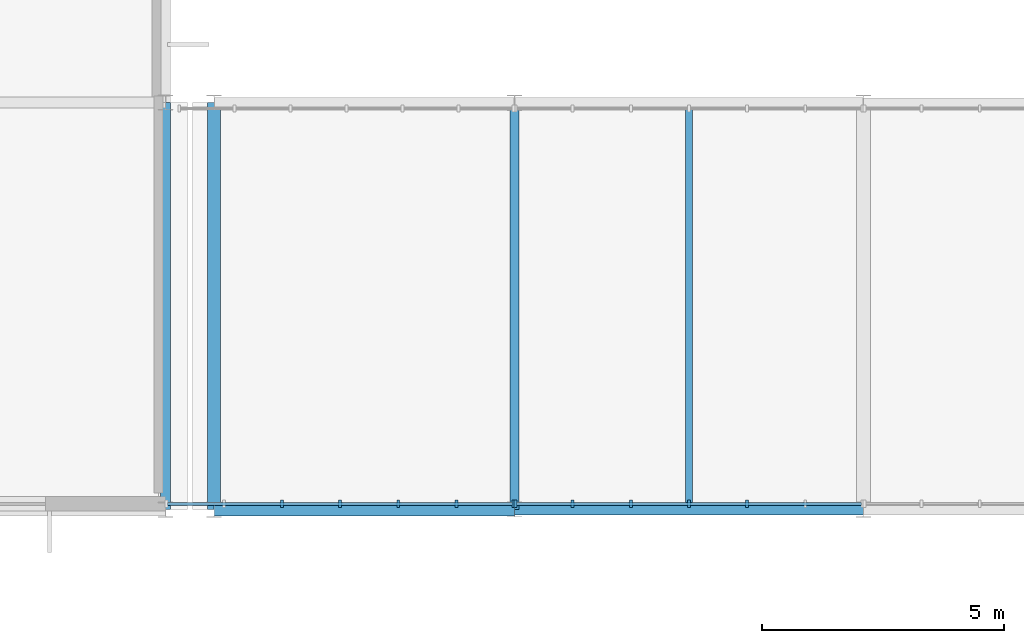
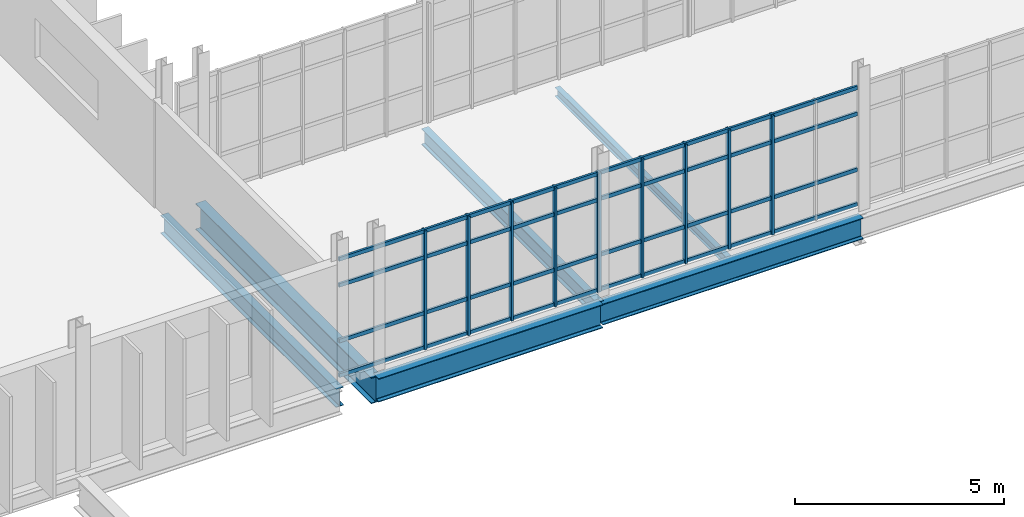
# One storey, part 30 of 119: 18 members, 6 beams, 2 elements without a shape of their own.
"""IFC4 building model written with IfcOpenShell, lengths in metres."""

from ifc_helpers import new_model, si_unit, direction, frame, origin, origin_2d, place, context, subcontext, project, spatial, rectangle, i_section, extrude, material, material_profile, profile_set, type_object, element, aggregate, save


model = new_model("IFC4")

# Units and contexts
model_context = context("Model", 3, precision=1e-05, world=origin(), true_north=direction((0.0, 1.0)))
body_context = subcontext(model_context, "Body", "Model", "MODEL_VIEW")
ifc_project = project(units=[si_unit("LENGTHUNIT", "METRE"), si_unit("AREAUNIT", "SQUARE_METRE"), si_unit("VOLUMEUNIT", "CUBIC_METRE"), si_unit("PLANEANGLEUNIT", "RADIAN"), si_unit("MASSUNIT", "GRAM", prefix="KILO")], contexts=[model_context])

# Site, building, storey
site_placement = place(None, origin())
site = spatial("IfcSite", under=ifc_project, at=site_placement, CompositionType="ELEMENT")
building_placement = place(site_placement, origin())
building = spatial("IfcBuilding", under=site, at=building_placement, Name="Qelthora Terrace Specialist Clinic", CompositionType="ELEMENT")
storey_placement = place(building_placement, frame((0.0, 0.0, 4.800048828125)))
storey = spatial("IfcBuildingStorey", under=building, at=storey_placement, Name="L01", CompositionType="ELEMENT", Elevation=4.800048828125)

# Beams
ifc_material_1 = material(Name="Steel S355", Category="steel")
ifc_material_profile_1 = material_profile(ifc_material_1, i_section(OverallWidth=0.193115234375, OverallDepth=0.466064453125, WebThickness=0.011474609375, FlangeThickness=0.01904296875, FilletRadius=0.012939453125, at=origin_2d()), Name="W460X97")
ifc_profile_set_1 = profile_set([ifc_material_profile_1], Name="Steel S355")
beam_type_1 = type_object("IfcBeamType", Name="BM-W460X97", PredefinedType="BEAM", material=ifc_profile_set_1)
beam_1_placement = place(storey_placement, frame((57.60009765625, 58.800048828125, -0.483154296875), z_axis=(0.0, 1.0, 0.0), x_axis=(-1.0, 0.0, 0.0)))
element("IfcBeam", 1, at=beam_1_placement, inside=storey, type_object=beam_type_1, Name="Girder BMY-L01-0427", PredefinedType="BEAM", context=body_context, shape_type="SweptSolid", body=[
    extrude(i_section(OverallWidth=0.193115234375, OverallDepth=0.466064453125, WebThickness=0.011474609375, FlangeThickness=0.01904296875, FilletRadius=0.012939453125, at=origin_2d()), origin(), (0.0, 0.0, 1.0), 8.39990234375),
])
ifc_material_profile_2 = material_profile(ifc_material_1, i_section(OverallWidth=0.2099609375, OverallDepth=0.537109375, WebThickness=0.010986328125, FlangeThickness=0.017333984375, FilletRadius=0.013916015625, at=origin_2d()), Name="W530X101")
ifc_profile_set_2 = profile_set([ifc_material_profile_2], Name="Steel S355")
beam_type_2 = type_object("IfcBeamType", Name="BM-W530X101", PredefinedType="BEAM", material=ifc_profile_set_2)
beam_2_placement = place(storey_placement, frame((50.39990234375, 58.800048828125, -0.5185546875), z_axis=(0.0, 1.0, 0.0), x_axis=(-1.0, 0.0, 0.0)))
element("IfcBeam", 2, at=beam_2_placement, inside=storey, type_object=beam_type_2, Name="Girder BMY-L01-0416", PredefinedType="BEAM", context=body_context, shape_type="SweptSolid", body=[
    extrude(i_section(OverallWidth=0.2099609375, OverallDepth=0.537109375, WebThickness=0.010986328125, FlangeThickness=0.017333984375, FilletRadius=0.013916015625, at=origin_2d()), origin(), (0.0, 0.0, 1.0), 8.39990234375),
])
ifc_material_profile_3 = material_profile(ifc_material_1, i_section(OverallWidth=0.22998046875, OverallDepth=0.616943359375, WebThickness=0.01318359375, FlangeThickness=0.022216796875, FilletRadius=0.01611328125, at=origin_2d()), Name="W610X140")
ifc_profile_set_3 = profile_set([ifc_material_profile_3], Name="Steel S355")
beam_type_3 = type_object("IfcBeamType", Name="BM-W610X140", PredefinedType="BEAM", material=ifc_profile_set_3)
beam_3_placement = place(storey_placement, frame((57.60009765625, 58.800048828125, -0.55859375), z_axis=(1.0, 0.0, 0.0), x_axis=(0.0, 1.0, 0.0)))
element("IfcBeam", 3, at=beam_3_placement, inside=storey, type_object=beam_type_3, Name="Girder BMX-L01-0241", PredefinedType="BEAM", context=body_context, shape_type="SweptSolid", body=[
    extrude(i_section(OverallWidth=0.22998046875, OverallDepth=0.616943359375, WebThickness=0.01318359375, FlangeThickness=0.022216796875, FilletRadius=0.01611328125, at=origin_2d()), origin(), (0.0, 0.0, 1.0), 7.199951171875),
])
ifc_material_profile_4 = material_profile(ifc_material_1, i_section(OverallWidth=0.25390625, OverallDepth=0.68798828125, WebThickness=0.01318359375, FlangeThickness=0.02099609375, FilletRadius=0.01806640625, at=origin_2d()), Name="W690X152")
ifc_profile_set_4 = profile_set([ifc_material_profile_4], Name="Steel S355")
beam_type_4 = type_object("IfcBeamType", Name="BM-W690X152", PredefinedType="BEAM", material=ifc_profile_set_4)
beam_4_placement = place(storey_placement, frame((51.39990234375, 58.800048828125, -0.593994140625), z_axis=(1.0, 0.0, 0.0), x_axis=(0.0, 1.0, 0.0)))
element("IfcBeam", 4, at=beam_4_placement, inside=storey, type_object=beam_type_4, Name="Girder BMX-L01-0240", PredefinedType="BEAM", context=body_context, shape_type="SweptSolid", body=[
    extrude(i_section(OverallWidth=0.25390625, OverallDepth=0.68798828125, WebThickness=0.01318359375, FlangeThickness=0.02099609375, FilletRadius=0.01806640625, at=origin_2d()), origin(), (0.0, 0.0, 1.0), 6.2001953125),
])
ifc_material_profile_5 = material_profile(ifc_material_1, i_section(OverallWidth=0.26806640625, OverallDepth=0.77001953125, WebThickness=0.015625, FlangeThickness=0.025390625, FilletRadius=0.01904296875, at=origin_2d()), Name="W760X196")
ifc_profile_set_5 = profile_set([ifc_material_profile_5], Name="Steel S355")
beam_type_5 = type_object("IfcBeamType", Name="BM-W760X196", PredefinedType="BEAM", material=ifc_profile_set_5)
beam_5_placement = place(storey_placement, frame((51.39990234375, 58.800048828125, -0.635009765625), z_axis=(0.0, 1.0, 0.0), x_axis=(-1.0, 0.0, 0.0)))
element("IfcBeam", 5, at=beam_5_placement, inside=storey, type_object=beam_type_5, Name="Girder BMY-L01-0422", PredefinedType="BEAM", context=body_context, shape_type="SweptSolid", body=[
    extrude(i_section(OverallWidth=0.26806640625, OverallDepth=0.77001953125, WebThickness=0.015625, FlangeThickness=0.025390625, FilletRadius=0.01904296875, at=origin_2d()), origin(), (0.0, 0.0, 1.0), 8.39990234375),
])

# Curtain wall, members
ifc_material_2 = material(Name="Aluminium anodized bronze", Category="aluminium")
curtain_wall_type = type_object("IfcCurtainWallType", Name="CW-BRG-L01", PredefinedType="NOTDEFINED", material=ifc_material_2)
curtain_wall_1_placement = place(storey_placement, origin())
curtain_wall_1 = element("IfcCurtainWall", 6, at=curtain_wall_1_placement, inside=storey, type_object=curtain_wall_type, Name="Curtain wall CW-L01-228", PredefinedType="NOTDEFINED")
ifc_material_profile_6 = material_profile(ifc_material_2, rectangle(XDim=0.06005859375, YDim=0.14990234375, at=origin_2d()), Name="CWM60X150")
ifc_profile_set_6 = profile_set([ifc_material_profile_6], Name="Aluminium anodized bronze")
member_type_1 = type_object("IfcMemberType", Name="CWM-60X150", PredefinedType="MULLION", material=ifc_profile_set_6)
member_1_placement = place(storey_placement, frame((52.800048828125, 58.919921875, 0.0), z_axis=(0.0, 0.0, 1.0), x_axis=(1.0, 0.0, 0.0)))
member_1 = element("IfcMember", 7, at=member_1_placement, type_object=member_type_1, Name="CW-L01-228 mullion 3", PredefinedType="MULLION", context=body_context, shape_type="SweptSolid", body=[
    extrude(rectangle(XDim=0.06005859375, YDim=0.14990234375, at=origin_2d()), origin(), (0.0, 0.0, 1.0), 3.475830078125),
])
member_2_placement = place(storey_placement, frame((54.0, 58.919921875, 0.0), z_axis=(0.0, 0.0, 1.0), x_axis=(1.0, 0.0, 0.0)))
member_2 = element("IfcMember", 8, at=member_2_placement, type_object=member_type_1, Name="CW-L01-228 mullion 4", PredefinedType="MULLION", context=body_context, shape_type="SweptSolid", body=[
    extrude(rectangle(XDim=0.06005859375, YDim=0.14990234375, at=origin_2d()), origin(), (0.0, 0.0, 1.0), 3.475830078125),
])
member_3_placement = place(storey_placement, frame((55.199951171875, 58.919921875, 0.0), z_axis=(0.0, 0.0, 1.0), x_axis=(1.0, 0.0, 0.0)))
member_3 = element("IfcMember", 9, at=member_3_placement, type_object=member_type_1, Name="CW-L01-228 mullion 5", PredefinedType="MULLION", context=body_context, shape_type="SweptSolid", body=[
    extrude(rectangle(XDim=0.06005859375, YDim=0.14990234375, at=origin_2d()), origin(), (0.0, 0.0, 1.0), 3.475830078125),
])
member_4_placement = place(storey_placement, frame((56.39990234375, 58.919921875, 0.0), z_axis=(0.0, 0.0, 1.0), x_axis=(1.0, 0.0, 0.0)))
member_4 = element("IfcMember", 10, at=member_4_placement, type_object=member_type_1, Name="CW-L01-228 mullion 6", PredefinedType="MULLION", context=body_context, shape_type="SweptSolid", body=[
    extrude(rectangle(XDim=0.06005859375, YDim=0.14990234375, at=origin_2d()), origin(), (0.0, 0.0, 1.0), 3.475830078125),
])
member_5_placement = place(storey_placement, frame((57.580078125, 58.919921875, 0.0), z_axis=(0.0, 0.0, 1.0), x_axis=(1.0, 0.0, 0.0)))
member_5 = element("IfcMember", 11, at=member_5_placement, type_object=member_type_1, Name="CW-L01-228 mullion 7", PredefinedType="MULLION", context=body_context, shape_type="SweptSolid", body=[
    extrude(rectangle(XDim=0.06005859375, YDim=0.14990234375, at=origin_2d()), origin(), (0.0, 0.0, 1.0), 3.475830078125),
])

curtain_wall_2_placement = place(storey_placement, origin())
curtain_wall_2 = element("IfcCurtainWall", 12, at=curtain_wall_2_placement, inside=storey, type_object=curtain_wall_type, Name="Curtain wall CW-L01-229", PredefinedType="NOTDEFINED")
member_6_placement = place(storey_placement, frame((57.6201171875, 58.919921875, 0.0), z_axis=(0.0, 0.0, 1.0), x_axis=(1.0, 0.0, 0.0)))
member_6 = element("IfcMember", 13, at=member_6_placement, type_object=member_type_1, Name="CW-L01-229 mullion 1", PredefinedType="MULLION", context=body_context, shape_type="SweptSolid", body=[
    extrude(rectangle(XDim=0.06005859375, YDim=0.14990234375, at=origin_2d()), origin(), (0.0, 0.0, 1.0), 3.48193359375),
])
member_7_placement = place(storey_placement, frame((58.800048828125, 58.919921875, 0.0), z_axis=(0.0, 0.0, 1.0), x_axis=(1.0, 0.0, 0.0)))
member_7 = element("IfcMember", 14, at=member_7_placement, type_object=member_type_1, Name="CW-L01-229 mullion 2", PredefinedType="MULLION", context=body_context, shape_type="SweptSolid", body=[
    extrude(rectangle(XDim=0.06005859375, YDim=0.14990234375, at=origin_2d()), origin(), (0.0, 0.0, 1.0), 3.48193359375),
])
member_8_placement = place(storey_placement, frame((60.0, 58.919921875, 0.0), z_axis=(0.0, 0.0, 1.0), x_axis=(1.0, 0.0, 0.0)))
member_8 = element("IfcMember", 15, at=member_8_placement, type_object=member_type_1, Name="CW-L01-229 mullion 3", PredefinedType="MULLION", context=body_context, shape_type="SweptSolid", body=[
    extrude(rectangle(XDim=0.06005859375, YDim=0.14990234375, at=origin_2d()), origin(), (0.0, 0.0, 1.0), 3.48193359375),
])
member_9_placement = place(storey_placement, frame((61.199951171875, 58.919921875, 0.0), z_axis=(0.0, 0.0, 1.0), x_axis=(1.0, 0.0, 0.0)))
member_9 = element("IfcMember", 16, at=member_9_placement, type_object=member_type_1, Name="CW-L01-229 mullion 4", PredefinedType="MULLION", context=body_context, shape_type="SweptSolid", body=[
    extrude(rectangle(XDim=0.06005859375, YDim=0.14990234375, at=origin_2d()), origin(), (0.0, 0.0, 1.0), 3.48193359375),
])
member_10_placement = place(storey_placement, frame((62.39990234375, 58.919921875, 0.0), z_axis=(0.0, 0.0, 1.0), x_axis=(1.0, 0.0, 0.0)))
member_10 = element("IfcMember", 17, at=member_10_placement, type_object=member_type_1, Name="CW-L01-229 mullion 5", PredefinedType="MULLION", context=body_context, shape_type="SweptSolid", body=[
    extrude(rectangle(XDim=0.06005859375, YDim=0.14990234375, at=origin_2d()), origin(), (0.0, 0.0, 1.0), 3.48193359375),
])

# Member
ifc_material_profile_7 = material_profile(ifc_material_2, rectangle(XDim=0.06005859375, YDim=0.110107421875, at=origin_2d()), Name="CWT60X110")
ifc_profile_set_7 = profile_set([ifc_material_profile_7], Name="Aluminium anodized bronze")
member_type_2 = type_object("IfcMemberType", Name="CWT-60X110", PredefinedType="USERDEFINED", material=ifc_profile_set_7)
member_11_placement = place(storey_placement, frame((50.43994140625, 58.919921875, 0.0400390625), z_axis=(1.0, 0.0, 0.0), x_axis=(0.0, 1.0, 0.0)))
member_11 = element("IfcMember", 18, at=member_11_placement, type_object=member_type_2, Name="CW-L01-228 transom 1", ObjectType="TRANSOM", PredefinedType="USERDEFINED", context=body_context, shape_type="SweptSolid", body=[
    extrude(rectangle(XDim=0.06005859375, YDim=0.110107421875, at=origin_2d()), origin(), (0.0, 0.0, 1.0), 7.1201171875),
])

member_12_placement = place(storey_placement, frame((50.43994140625, 58.919921875, 1.050048828125), z_axis=(1.0, 0.0, 0.0), x_axis=(0.0, 1.0, 0.0)))
member_12 = element("IfcMember", 19, at=member_12_placement, type_object=member_type_2, Name="CW-L01-228 transom 2", ObjectType="TRANSOM", PredefinedType="USERDEFINED", context=body_context, shape_type="SweptSolid", body=[
    extrude(rectangle(XDim=0.06005859375, YDim=0.110107421875, at=origin_2d()), origin(), (0.0, 0.0, 1.0), 7.1201171875),
])

member_13_placement = place(storey_placement, frame((50.43994140625, 58.919921875, 2.676025390625), z_axis=(1.0, 0.0, 0.0), x_axis=(0.0, 1.0, 0.0)))
member_13 = element("IfcMember", 20, at=member_13_placement, type_object=member_type_2, Name="CW-L01-228 transom 3", ObjectType="TRANSOM", PredefinedType="USERDEFINED", context=body_context, shape_type="SweptSolid", body=[
    extrude(rectangle(XDim=0.06005859375, YDim=0.110107421875, at=origin_2d()), origin(), (0.0, 0.0, 1.0), 7.1201171875),
])

member_14_placement = place(storey_placement, frame((50.43994140625, 58.919921875, 3.43603515625), z_axis=(1.0, 0.0, 0.0), x_axis=(0.0, 1.0, 0.0)))
member_14 = element("IfcMember", 21, at=member_14_placement, type_object=member_type_2, Name="CW-L01-228 transom 4", ObjectType="TRANSOM", PredefinedType="USERDEFINED", context=body_context, shape_type="SweptSolid", body=[
    extrude(rectangle(XDim=0.06005859375, YDim=0.110107421875, at=origin_2d()), origin(), (0.0, 0.0, 1.0), 7.1201171875),
])

aggregate(curtain_wall_1, [member_1, member_2, member_3, member_4, member_5, member_11, member_12, member_13, member_14])

member_15_placement = place(storey_placement, frame((57.639892578125, 58.919921875, 0.0400390625), z_axis=(1.0, 0.0, 0.0), x_axis=(0.0, 1.0, 0.0)))
member_15 = element("IfcMember", 22, at=member_15_placement, type_object=member_type_2, Name="CW-L01-229 transom 1", ObjectType="TRANSOM", PredefinedType="USERDEFINED", context=body_context, shape_type="SweptSolid", body=[
    extrude(rectangle(XDim=0.06005859375, YDim=0.110107421875, at=origin_2d()), origin(), (0.0, 0.0, 1.0), 7.1201171875),
])

member_16_placement = place(storey_placement, frame((57.639892578125, 58.919921875, 1.050048828125), z_axis=(1.0, 0.0, 0.0), x_axis=(0.0, 1.0, 0.0)))
member_16 = element("IfcMember", 23, at=member_16_placement, type_object=member_type_2, Name="CW-L01-229 transom 2", ObjectType="TRANSOM", PredefinedType="USERDEFINED", context=body_context, shape_type="SweptSolid", body=[
    extrude(rectangle(XDim=0.06005859375, YDim=0.110107421875, at=origin_2d()), origin(), (0.0, 0.0, 1.0), 7.1201171875),
])

member_17_placement = place(storey_placement, frame((57.639892578125, 58.919921875, 2.681884765625), z_axis=(1.0, 0.0, 0.0), x_axis=(0.0, 1.0, 0.0)))
member_17 = element("IfcMember", 24, at=member_17_placement, type_object=member_type_2, Name="CW-L01-229 transom 3", ObjectType="TRANSOM", PredefinedType="USERDEFINED", context=body_context, shape_type="SweptSolid", body=[
    extrude(rectangle(XDim=0.06005859375, YDim=0.110107421875, at=origin_2d()), origin(), (0.0, 0.0, 1.0), 7.1201171875),
])

member_18_placement = place(storey_placement, frame((57.639892578125, 58.919921875, 3.44189453125), z_axis=(1.0, 0.0, 0.0), x_axis=(0.0, 1.0, 0.0)))
member_18 = element("IfcMember", 25, at=member_18_placement, type_object=member_type_2, Name="CW-L01-229 transom 4", ObjectType="TRANSOM", PredefinedType="USERDEFINED", context=body_context, shape_type="SweptSolid", body=[
    extrude(rectangle(XDim=0.06005859375, YDim=0.110107421875, at=origin_2d()), origin(), (0.0, 0.0, 1.0), 7.1201171875),
])

aggregate(curtain_wall_2, [member_6, member_7, member_8, member_9, member_10, member_15, member_16, member_17, member_18])

# Beam
ifc_material_profile_8 = material_profile(ifc_material_1, i_section(OverallWidth=0.14599609375, OverallDepth=0.258056640625, WebThickness=0.006103515625, FlangeThickness=0.009033203125, FilletRadius=0.009033203125, at=origin_2d()), Name="W250X33")
ifc_profile_set_8 = profile_set([ifc_material_profile_8], Name="Steel S355")
beam_type_6 = type_object("IfcBeamType", Name="JST-W250X33", PredefinedType="JOIST", material=ifc_profile_set_8)
beam_6_placement = place(storey_placement, frame((61.199951171875, 58.9150390625, -0.379150390625), z_axis=(0.0, 1.0, 0.0), x_axis=(-1.0, 0.0, 0.0)))
element("IfcBeam", 26, at=beam_6_placement, inside=storey, type_object=beam_type_6, Name="Composite floor joist JST-L01-0090", PredefinedType="JOIST", context=body_context, shape_type="SweptSolid", body=[
    extrude(i_section(OverallWidth=0.14599609375, OverallDepth=0.258056640625, WebThickness=0.006103515625, FlangeThickness=0.009033203125, FilletRadius=0.009033203125, at=origin_2d()), origin(), (0.0, 0.0, 1.0), 8.179931640625),
])

save(model, "model.ifc")
